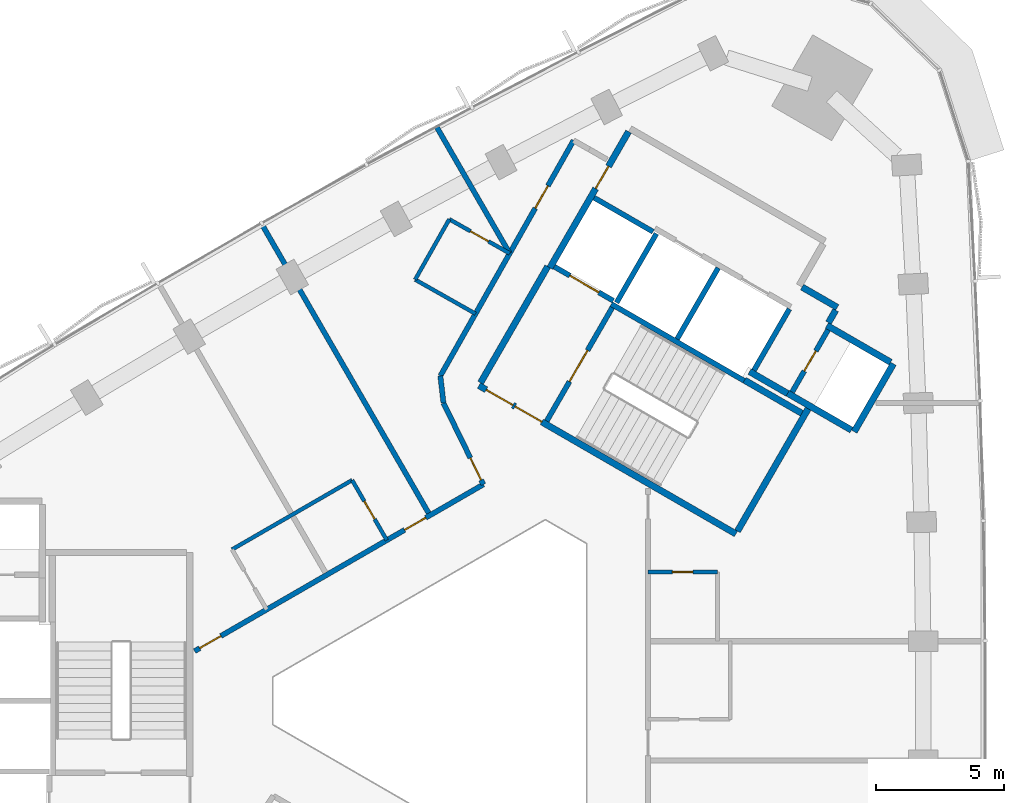
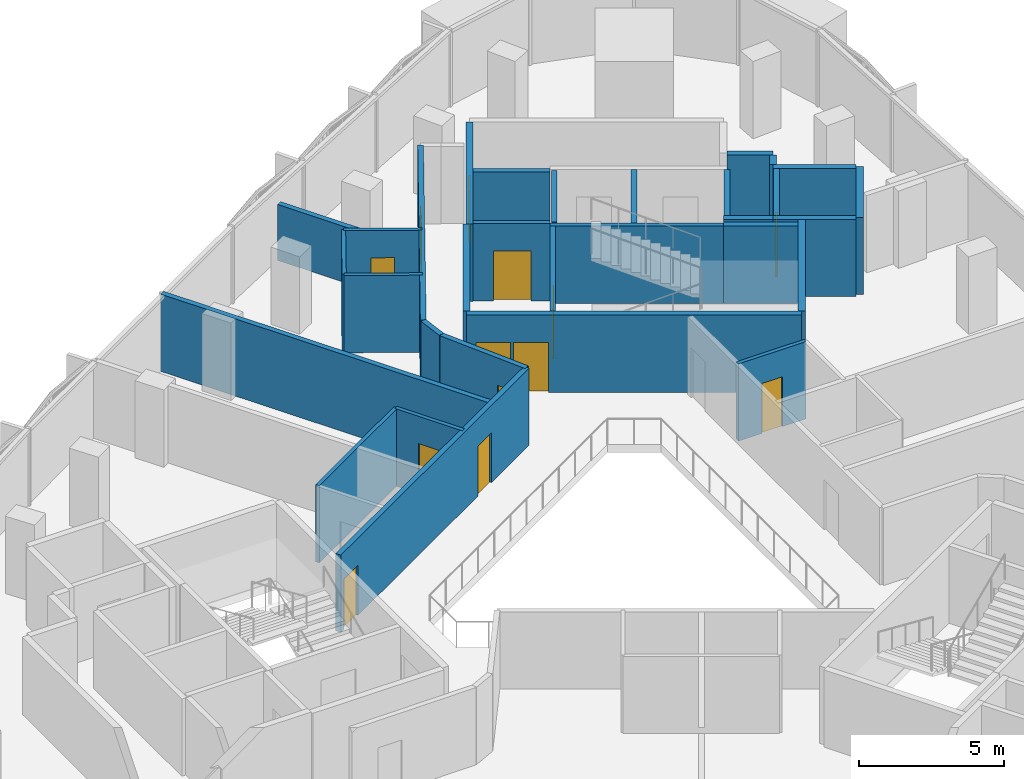
# One storey, part 9 of 13: 31 walls, 13 doors, 13 openings.
"""IFC4 building model written with IfcOpenShell, lengths in metres."""

from ifc_helpers import new_model, si_unit, direction, frame, frame_2d, origin, place, context, subcontext, project, spatial, rectangle, extrude, material, layer, layer_set, type_object, element, fill, save


model = new_model("IFC4")

# Units and contexts
model_context = context("Model", 3, precision=1e-05, world=origin(), true_north=direction((0.0, 1.0)))
body_context = subcontext(model_context, "Body", "Model", "MODEL_VIEW")
ifc_project = project(units=[si_unit("LENGTHUNIT", "METRE"), si_unit("AREAUNIT", "SQUARE_METRE"), si_unit("VOLUMEUNIT", "CUBIC_METRE"), si_unit("PLANEANGLEUNIT", "RADIAN"), si_unit("MASSUNIT", "GRAM", prefix="KILO")], contexts=[model_context])

# Site, building, storey
site_placement = place(None, origin())
site = spatial("IfcSite", under=ifc_project, at=site_placement, CompositionType="ELEMENT")
building_placement = place(site_placement, origin())
building = spatial("IfcBuilding", under=site, at=building_placement, Name="Tamra Quay Hotel Tower", CompositionType="ELEMENT")
storey_placement = place(building_placement, frame((0.0, 0.0, 193.60009765625)))
storey = spatial("IfcBuildingStorey", under=building, at=storey_placement, Name="L48", CompositionType="ELEMENT", Elevation=193.60009765625)

# Wall
ifc_material_1 = material(Name="Concrete M70", Category="concrete")
ifc_layer_1 = layer(ifc_material_1, 0.199951171875)
ifc_layer_set_1 = layer_set([ifc_layer_1], Name="Concrete M70 core wall 200")
wall_type_1 = type_object("IfcWallType", Name="Concrete M70 core wall 200", PredefinedType="SHEAR", material=ifc_layer_set_1)
wall_1_placement = place(storey_placement, frame((10.7431640625, 12.4599609375, 0.0), z_axis=(0.0, 0.0, 1.0), x_axis=(-0.866018848283, 0.500011354289, 0.0)))
element("IfcWall", 1, at=wall_1_placement, inside=storey, type_object=wall_type_1, Name="CW2", PredefinedType="SHEAR", context=body_context, shape_type="SweptSolid", body=[
    extrude(rectangle(XDim=5.973876953125, YDim=0.199951171875, at=frame_2d((2.98681640625, 0.0))), origin(), (0.0, 0.0, 1.0), 3.25),
])

# Wall, opening, door
wall_2_placement = place(storey_placement, frame((3.056640625, 10.89453125, 0.0), z_axis=(0.0, 0.0, 1.0), x_axis=(0.500027839223, 0.866009330205, 0.0)))
wall_2 = element("IfcWall", 2, at=wall_2_placement, inside=storey, type_object=wall_type_1, Name="CW2", PredefinedType="SHEAR", context=body_context, shape_type="SweptSolid", body=[
    extrude(rectangle(XDim=5.097900390625, YDim=0.199951171875, at=frame_2d((2.548828125, 0.0))), origin(), (0.0, 0.0, 1.0), 3.25),
])
opening_1_placement = place(wall_2_placement, frame((1.77392578125, 0.0, 0.0)))
opening_1 = element("IfcOpeningElement", 3, at=opening_1_placement, cuts=wall_2, Name="Opening FD2", PredefinedType="OPENING", context=body_context, shape_type="SweptSolid", body=[
    extrude(rectangle(XDim=1.39990234375, YDim=2.10009765625, at=frame_2d((0.699951171875, 1.050048828125))), frame((0.0, 0.10986328125, 0.0), z_axis=(0.0, -1.0, 0.0), x_axis=(1.0, 0.0, 0.0)), (0.0, 0.0, 1.0), 0.219970703125),
])
ifc_material_2 = material(Name="Core door FD2 1400x2100 LH")
door_type_1 = type_object("IfcDoorType", Name="Core door FD2 1400x2100 LH", OperationType="NOTDEFINED", PredefinedType="DOOR", material=ifc_material_2)
door_1_placement = place(opening_1_placement, origin())
door_1 = element("IfcDoor", 4, at=door_1_placement, inside=storey, type_object=door_type_1, Name="FD2", OperationType="SINGLE_SWING_LEFT", OverallHeight=2.10009765625, OverallWidth=1.39990234375, PredefinedType="DOOR", context=body_context, shape_type="SweptSolid", body=[
    extrude(rectangle(XDim=1.39990234375, YDim=2.10009765625, at=frame_2d((0.699951171875, 1.050048828125))), frame((0.0, 0.02490234375, 0.0), z_axis=(0.0, -1.0, 0.0), x_axis=(1.0, 0.0, 0.0)), (0.0, 0.0, 1.0), 0.050048828125),
])
fill(opening_1, door_1)

# Wall
wall_3_placement = place(storey_placement, frame((8.131591796875, 14.08447265625, 0.0), z_axis=(0.0, 0.0, 1.0), x_axis=(0.500030834389, 0.86600760081, 0.0)))
element("IfcWall", 5, at=wall_3_placement, inside=storey, type_object=wall_type_1, Name="CW2", PredefinedType="SHEAR", context=body_context, shape_type="SweptSolid", body=[
    extrude(rectangle(XDim=3.197998046875, YDim=0.199951171875, at=frame_2d((1.59912109375, 0.0))), origin(), (0.0, 0.0, 1.0), 3.25),
])

# Wall, opening, door
wall_4_placement = place(storey_placement, frame((14.0078125, 14.442138671875, 0.0), z_axis=(0.0, 0.0, 1.0), x_axis=(-0.499986818241, -0.866033014143, 0.0)))
wall_4 = element("IfcWall", 6, at=wall_4_placement, inside=storey, type_object=wall_type_1, Name="CW2", PredefinedType="SHEAR", context=body_context, shape_type="SweptSolid", body=[
    extrude(rectangle(XDim=2.7978515625, YDim=0.199951171875, at=frame_2d((1.39892578125, 0.0))), origin(), (0.0, 0.0, 1.0), 3.25),
])
opening_2_placement = place(wall_4_placement, frame((0.948974609375, 0.0, 0.0)))
opening_2 = element("IfcOpeningElement", 7, at=opening_2_placement, cuts=wall_4, Name="Opening D1", PredefinedType="OPENING", context=body_context, shape_type="SweptSolid", body=[
    extrude(rectangle(XDim=0.89990234375, YDim=2.10009765625, at=frame_2d((0.449951171875, 1.050048828125))), frame((0.0, 0.10986328125, 0.0), z_axis=(0.0, -1.0, 0.0), x_axis=(1.0, 0.0, 0.0)), (0.0, 0.0, 1.0), 0.219970703125),
])
ifc_material_3 = material(Name="Core door D1 900x2100 RH")
door_type_2 = type_object("IfcDoorType", Name="Core door D1 900x2100 RH", OperationType="NOTDEFINED", PredefinedType="DOOR", material=ifc_material_3)
door_2_placement = place(opening_2_placement, origin())
door_2 = element("IfcDoor", 8, at=door_2_placement, inside=storey, type_object=door_type_2, Name="D1", OperationType="SINGLE_SWING_RIGHT", OverallHeight=2.10009765625, OverallWidth=0.89990234375, PredefinedType="DOOR", context=body_context, shape_type="SweptSolid", body=[
    extrude(rectangle(XDim=0.89990234375, YDim=2.10009765625, at=frame_2d((0.449951171875, 1.050048828125))), frame((0.0, 0.02490234375, 0.0), z_axis=(0.0, -1.0, 0.0), x_axis=(1.0, 0.0, 0.0)), (0.0, 0.0, 1.0), 0.050048828125),
])
fill(opening_2, door_2)

# Walls
wall_5_placement = place(storey_placement, frame((12.50244140625, 15.2548828125, 0.0), z_axis=(0.0, 0.0, 1.0), x_axis=(-0.499965018551, -0.866045599391, 0.0)))
element("IfcWall", 9, at=wall_5_placement, inside=storey, type_object=wall_type_1, Name="CW2", PredefinedType="SHEAR", context=body_context, shape_type="SweptSolid", body=[
    extrude(rectangle(XDim=2.759033203125, YDim=0.199951171875, at=frame_2d((1.37939453125, 0.0))), origin(), (0.0, 0.0, 1.0), 3.25),
])
wall_6_placement = place(storey_placement, frame((7.324462890625, 18.1865234375, 0.0), z_axis=(0.0, 0.0, 1.0), x_axis=(-0.499967891604, -0.866043940782, 0.0)))
element("IfcWall", 10, at=wall_6_placement, inside=storey, type_object=wall_type_1, Name="CW2", PredefinedType="SHEAR", context=body_context, shape_type="SweptSolid", body=[
    extrude(rectangle(XDim=3.099853515625, YDim=0.199951171875, at=frame_2d((1.5498046875, 0.0))), origin(), (0.0, 0.0, 1.0), 3.25),
])

# Wall, opening, door
wall_7_placement = place(storey_placement, frame((5.646240234375, 15.575927734375, 0.0), z_axis=(0.0, 0.0, 1.0), x_axis=(-0.866018407898, 0.500012117035, 0.0)))
wall_7 = element("IfcWall", 11, at=wall_7_placement, inside=storey, type_object=wall_type_1, Name="CW2", PredefinedType="SHEAR", context=body_context, shape_type="SweptSolid", body=[
    extrude(rectangle(XDim=2.65087890625, YDim=0.199951171875, at=frame_2d((1.325439453125, 0.0))), origin(), (0.0, 0.0, 1.0), 3.25),
])
opening_3_placement = place(wall_7_placement, frame((0.65185546875, 0.0, 0.0)))
opening_3 = element("IfcOpeningElement", 12, at=opening_3_placement, cuts=wall_7, Name="Opening LD", PredefinedType="OPENING", context=body_context, shape_type="SweptSolid", body=[
    extrude(rectangle(XDim=1.300048828125, YDim=2.10009765625, at=frame_2d((0.64990234375, 1.050048828125))), frame((0.0, 0.10986328125, 0.0), z_axis=(0.0, -1.0, 0.0), x_axis=(1.0, 0.0, 0.0)), (0.0, 0.0, 1.0), 0.219970703125),
])
ifc_material_4 = material(Name="Landing door LD 1300 sliding to left")
door_type_3 = type_object("IfcDoorType", Name="Landing door LD 1300 sliding to left", OperationType="NOTDEFINED", PredefinedType="DOOR", material=ifc_material_4)
door_3_placement = place(opening_3_placement, origin())
door_3 = element("IfcDoor", 13, at=door_3_placement, inside=storey, type_object=door_type_3, Name="LD", OperationType="SLIDING_TO_LEFT", OverallHeight=2.10009765625, OverallWidth=1.300048828125, PredefinedType="DOOR", context=body_context, shape_type="SweptSolid", body=[
    extrude(rectangle(XDim=1.300048828125, YDim=2.10009765625, at=frame_2d((0.64990234375, 1.050048828125))), frame((0.0, 0.02490234375, 0.0), z_axis=(0.0, -1.0, 0.0), x_axis=(1.0, 0.0, 0.0)), (0.0, 0.0, 1.0), 0.050048828125),
])
fill(opening_3, door_3)

# Wall
wall_8_placement = place(storey_placement, frame((7.1962890625, 18.260498046875, 0.0), z_axis=(0.0, 0.0, 1.0), x_axis=(-0.866018407898, 0.500012117035, 0.0)))
element("IfcWall", 14, at=wall_8_placement, inside=storey, type_object=wall_type_1, Name="CW2", PredefinedType="SHEAR", context=body_context, shape_type="SweptSolid", body=[
    extrude(rectangle(XDim=2.65087890625, YDim=0.199951171875, at=frame_2d((1.325439453125, 0.0))), origin(), (0.0, 0.0, 1.0), 3.25),
])

# Wall, openings, doors
ifc_layer_2 = layer(ifc_material_1, 0.25)
ifc_layer_set_2 = layer_set([ifc_layer_2], Name="Concrete M70 core wall 250")
wall_type_2 = type_object("IfcWallType", Name="Concrete M70 core wall 250", PredefinedType="SHEAR", material=ifc_layer_set_2)
wall_9_placement = place(storey_placement, frame((10.419921875, 6.497802734375, 0.0), z_axis=(0.0, 0.0, 1.0), x_axis=(-0.866021906294, 0.500006057782, 0.0)))
wall_9 = element("IfcWall", 15, at=wall_9_placement, inside=storey, type_object=wall_type_2, Name="CW1", PredefinedType="SHEAR", context=body_context, shape_type="SweptSolid", body=[
    extrude(rectangle(XDim=11.550048828125, YDim=0.25, at=frame_2d((5.77490234375, 0.0))), origin(), (0.0, 0.0, 1.0), 3.25),
])
opening_4_placement = place(wall_9_placement, frame((10.02490234375, 0.0, 0.0)))
opening_4 = element("IfcOpeningElement", 16, at=opening_4_placement, cuts=wall_9, Name="Opening FD1", PredefinedType="OPENING", context=body_context, shape_type="SweptSolid", body=[
    extrude(rectangle(XDim=1.199951171875, YDim=2.10009765625, at=frame_2d((0.60009765625, 1.050048828125))), frame((0.0, 0.135009765625, 0.0), z_axis=(0.0, -1.0, 0.0), x_axis=(1.0, 0.0, 0.0)), (0.0, 0.0, 1.0), 0.27001953125),
])
opening_5_placement = place(wall_9_placement, frame((8.724853515625, 0.0, 0.0)))
opening_5 = element("IfcOpeningElement", 17, at=opening_5_placement, cuts=wall_9, Name="Opening FD1", PredefinedType="OPENING", context=body_context, shape_type="SweptSolid", body=[
    extrude(rectangle(XDim=1.199951171875, YDim=2.10009765625, at=frame_2d((0.60009765625, 1.050048828125))), frame((0.0, 0.135009765625, 0.0), z_axis=(0.0, -1.0, 0.0), x_axis=(1.0, 0.0, 0.0)), (0.0, 0.0, 1.0), 0.27001953125),
])
ifc_material_5 = material(Name="Core door FD1 1200x2100 LH")
door_type_4 = type_object("IfcDoorType", Name="Core door FD1 1200x2100 LH", OperationType="NOTDEFINED", PredefinedType="DOOR", material=ifc_material_5)
door_4_placement = place(opening_4_placement, origin())
door_4 = element("IfcDoor", 18, at=door_4_placement, inside=storey, type_object=door_type_4, Name="FD1", OperationType="SINGLE_SWING_LEFT", OverallHeight=2.10009765625, OverallWidth=1.199951171875, PredefinedType="DOOR", context=body_context, shape_type="SweptSolid", body=[
    extrude(rectangle(XDim=1.199951171875, YDim=2.10009765625, at=frame_2d((0.60009765625, 1.050048828125))), frame((0.0, 0.02490234375, 0.0), z_axis=(0.0, -1.0, 0.0), x_axis=(1.0, 0.0, 0.0)), (0.0, 0.0, 1.0), 0.050048828125),
])
fill(opening_4, door_4)
ifc_material_6 = material(Name="Core door FD1 1200x2100 RH")
door_type_5 = type_object("IfcDoorType", Name="Core door FD1 1200x2100 RH", OperationType="NOTDEFINED", PredefinedType="DOOR", material=ifc_material_6)
door_5_placement = place(opening_5_placement, origin())
door_5 = element("IfcDoor", 19, at=door_5_placement, inside=storey, type_object=door_type_5, Name="FD1", OperationType="SINGLE_SWING_RIGHT", OverallHeight=2.10009765625, OverallWidth=1.199951171875, PredefinedType="DOOR", context=body_context, shape_type="SweptSolid", body=[
    extrude(rectangle(XDim=1.199951171875, YDim=2.10009765625, at=frame_2d((0.60009765625, 1.050048828125))), frame((0.0, 0.02490234375, 0.0), z_axis=(0.0, -1.0, 0.0), x_axis=(1.0, 0.0, 0.0)), (0.0, 0.0, 1.0), 0.050048828125),
])
fill(opening_5, door_5)

# Wall, opening, door
wall_10_placement = place(storey_placement, frame((3.178955078125, 16.856201171875, 0.0), z_axis=(0.0, 0.0, 1.0), x_axis=(0.500001955336, 0.866024274868, 0.0)))
wall_10 = element("IfcWall", 20, at=wall_10_placement, inside=storey, type_object=wall_type_2, Name="CW1", PredefinedType="SHEAR", context=body_context, shape_type="SweptSolid", body=[
    extrude(rectangle(XDim=6.12451171875, YDim=0.25, at=frame_2d((3.062255859375, 0.0))), origin(), (0.0, 0.0, 1.0), 3.25),
])
opening_6_placement = place(wall_10_placement, frame((3.562744140625, 0.0, 0.0)))
opening_6 = element("IfcOpeningElement", 21, at=opening_6_placement, cuts=wall_10, Name="Opening FD3", PredefinedType="OPENING", context=body_context, shape_type="SweptSolid", body=[
    extrude(rectangle(XDim=1.0, YDim=2.10009765625, at=frame_2d((0.5, 1.050048828125))), frame((0.0, 0.135009765625, 0.0), z_axis=(0.0, -1.0, 0.0), x_axis=(1.0, 0.0, 0.0)), (0.0, 0.0, 1.0), 0.27001953125),
])
ifc_material_7 = material(Name="Core door FD3 1000x2100 LH")
door_type_6 = type_object("IfcDoorType", Name="Core door FD3 1000x2100 LH", OperationType="NOTDEFINED", PredefinedType="DOOR", material=ifc_material_7)
door_6_placement = place(opening_6_placement, origin())
door_6 = element("IfcDoor", 22, at=door_6_placement, inside=storey, type_object=door_type_6, Name="FD3", OperationType="SINGLE_SWING_LEFT", OverallHeight=2.10009765625, OverallWidth=1.0, PredefinedType="DOOR", context=body_context, shape_type="SweptSolid", body=[
    extrude(rectangle(XDim=1.0, YDim=2.10009765625, at=frame_2d((0.5, 1.050048828125))), frame((0.0, 0.02490234375, 0.0), z_axis=(0.0, -1.0, 0.0), x_axis=(1.0, 0.0, 0.0)), (0.0, 0.0, 1.0), 0.050048828125),
])
fill(opening_6, door_6)

# Walls
wall_11_placement = place(storey_placement, frame((0.47998046875, 12.38134765625, 0.0), z_axis=(0.0, 0.0, 1.0), x_axis=(0.49999885962, 0.866026062182, 0.0)))
element("IfcWall", 23, at=wall_11_placement, inside=storey, type_object=wall_type_2, Name="CW1", PredefinedType="SHEAR", context=body_context, shape_type="SweptSolid", body=[
    extrude(rectangle(XDim=5.224609375, YDim=0.25, at=frame_2d((2.6123046875, 0.0))), origin(), (0.0, 0.0, 1.0), 3.25),
])
wall_12_placement = place(storey_placement, frame((13.237548828125, 11.3779296875, 0.0), z_axis=(0.0, 0.0, 1.0), x_axis=(-0.500008851346, -0.866020293397, 0.0)))
element("IfcWall", 24, at=wall_12_placement, inside=storey, type_object=wall_type_2, Name="CW1", PredefinedType="SHEAR", context=body_context, shape_type="SweptSolid", body=[
    extrude(rectangle(XDim=5.509765625, YDim=0.25, at=frame_2d((2.7548828125, 0.0))), origin(), (0.0, 0.0, 1.0), 3.25),
])
wall_13_placement = place(storey_placement, frame((16.552001953125, 13.118896484375, 0.0), z_axis=(0.0, 0.0, 1.0), x_axis=(-0.499978833458, -0.866037623948, 0.0)))
element("IfcWall", 25, at=wall_13_placement, inside=storey, type_object=wall_type_2, Name="CW1", PredefinedType="SHEAR", context=body_context, shape_type="SweptSolid", body=[
    extrude(rectangle(XDim=3.050048828125, YDim=0.25, at=frame_2d((1.52490234375, 0.0))), origin(), (0.0, 0.0, 1.0), 3.25),
])
wall_14_placement = place(storey_placement, frame((14.91845703125, 10.540283203125, 0.0), z_axis=(0.0, 0.0, 1.0), x_axis=(-0.866063538972, 0.499933942099, 0.0)))
element("IfcWall", 26, at=wall_14_placement, inside=storey, type_object=wall_type_2, Name="CW1", PredefinedType="SHEAR", context=body_context, shape_type="SweptSolid", body=[
    extrude(rectangle(XDim=2.86474609375, YDim=0.25, at=frame_2d((1.432373046875, 0.0))), origin(), (0.0, 0.0, 1.0), 3.25),
])
wall_15_placement = place(storey_placement, frame((13.962646484375, 14.61376953125, 0.0), z_axis=(0.0, 0.0, 1.0), x_axis=(0.866042235819, -0.499970844928, 0.0)))
element("IfcWall", 27, at=wall_15_placement, inside=storey, type_object=wall_type_2, Name="CW1", PredefinedType="SHEAR", context=body_context, shape_type="SweptSolid", body=[
    extrude(rectangle(XDim=2.864501953125, YDim=0.25, at=frame_2d((1.43212890625, 0.0))), origin(), (0.0, 0.0, 1.0), 3.25),
])
wall_16_placement = place(storey_placement, frame((10.756591796875, 12.481201171875, 0.0), z_axis=(0.0, 0.0, 1.0), x_axis=(0.866022940537, -0.500004266446, 0.0)))
element("IfcWall", 28, at=wall_16_placement, inside=storey, type_object=wall_type_2, Name="CW1", PredefinedType="SHEAR", context=body_context, shape_type="SweptSolid", body=[
    extrude(rectangle(XDim=2.57470703125, YDim=0.25, at=frame_2d((1.287353515625, 0.0))), origin(), (0.0, 0.0, 1.0), 3.25),
])
wall_17_placement = place(storey_placement, frame((12.4326171875, 11.9638671875, 0.0), z_axis=(0.0, 0.0, 1.0), x_axis=(-0.866038183914, 0.499977863513, 0.0)))
element("IfcWall", 29, at=wall_17_placement, inside=storey, type_object=wall_type_2, Name="CW1", PredefinedType="SHEAR", context=body_context, shape_type="SweptSolid", body=[
    extrude(rectangle(XDim=1.7099609375, YDim=0.25, at=frame_2d((0.85498046875, 0.0))), origin(), (0.0, 0.0, 1.0), 3.25),
])
wall_18_placement = place(storey_placement, frame((12.995361328125, 16.107666015625, 0.0), z_axis=(0.0, 0.0, 1.0), x_axis=(0.866044474677, -0.49996696679, 0.0)))
element("IfcWall", 30, at=wall_18_placement, inside=storey, type_object=wall_type_2, Name="CW1", PredefinedType="SHEAR", context=body_context, shape_type="SweptSolid", body=[
    extrude(rectangle(XDim=1.58447265625, YDim=0.25, at=frame_2d((0.792236328125, 0.0))), origin(), (0.0, 0.0, 1.0), 3.25),
])
wall_19_placement = place(storey_placement, frame((14.304931640625, 15.206787109375, 0.0), z_axis=(0.0, 0.0, 1.0), x_axis=(-0.499848422343, -0.866112899501, 0.0)))
element("IfcWall", 31, at=wall_19_placement, inside=storey, type_object=wall_type_2, Name="CW1", PredefinedType="SHEAR", context=body_context, shape_type="SweptSolid", body=[
    extrude(rectangle(XDim=0.559326171875, YDim=0.25, at=frame_2d((0.27978515625, 0.0))), origin(), (0.0, 0.0, 1.0), 3.25),
])

# Wall, openings, doors
ifc_material_8 = material(Name="Partition corridor wall")
ifc_layer_3 = layer(ifc_material_8, 0.199951171875)
ifc_layer_set_3 = layer_set([ifc_layer_3], Name="Partition corridor wall")
wall_type_3 = type_object("IfcWallType", Name="Partition corridor wall", PredefinedType="PARTITIONING", material=ifc_layer_set_3)
wall_20_placement = place(storey_placement, frame((-10.65234375, 1.93408203125, 0.0), z_axis=(0.0, 0.0, 1.0), x_axis=(0.866066882415, 0.499928150021, 0.0)))
wall_20 = element("IfcWall", 32, at=wall_20_placement, inside=storey, type_object=wall_type_3, Name="W-C", PredefinedType="PARTITIONING", context=body_context, shape_type="SweptSolid", body=[
    extrude(rectangle(XDim=12.97998046875, YDim=0.199951171875, at=frame_2d((6.489990234375, 0.0))), origin(), (0.0, 0.0, 1.0), 3.25),
])
opening_7_placement = place(wall_20_placement, frame((9.438720703125, 0.0, 0.0)))
opening_7 = element("IfcOpeningElement", 33, at=opening_7_placement, cuts=wall_20, Name="Opening L48-D014", PredefinedType="OPENING", context=body_context, shape_type="SweptSolid", body=[
    extrude(rectangle(XDim=0.949951171875, YDim=2.10009765625, at=frame_2d((0.47509765625, 1.050048828125))), frame((0.0, 0.10986328125, 0.0), z_axis=(0.0, -1.0, 0.0), x_axis=(1.0, 0.0, 0.0)), (0.0, 0.0, 1.0), 0.219970703125),
])
opening_8_placement = place(wall_20_placement, frame((0.228759765625, 0.0, 0.0)))
opening_8 = element("IfcOpeningElement", 34, at=opening_8_placement, cuts=wall_20, Name="Opening L48-D016", PredefinedType="OPENING", context=body_context, shape_type="SweptSolid", body=[
    extrude(rectangle(XDim=0.949951171875, YDim=2.10009765625, at=frame_2d((0.47509765625, 1.050048828125))), frame((0.0, 0.10986328125, 0.0), z_axis=(0.0, -1.0, 0.0), x_axis=(1.0, 0.0, 0.0)), (0.0, 0.0, 1.0), 0.219970703125),
])
ifc_material_9 = material(Name="Door guest room 950x2100")
door_type_7 = type_object("IfcDoorType", Name="Door guest room 950x2100", OperationType="NOTDEFINED", PredefinedType="DOOR", material=ifc_material_9)
door_7_placement = place(opening_7_placement, origin())
door_7 = element("IfcDoor", 35, at=door_7_placement, inside=storey, type_object=door_type_7, Name="L48-D014", OperationType="SINGLE_SWING_LEFT", OverallHeight=2.10009765625, OverallWidth=0.949951171875, PredefinedType="DOOR", context=body_context, shape_type="SweptSolid", body=[
    extrude(rectangle(XDim=0.949951171875, YDim=2.10009765625, at=frame_2d((0.47509765625, 1.050048828125))), frame((0.0, 0.02490234375, 0.0), z_axis=(0.0, -1.0, 0.0), x_axis=(1.0, 0.0, 0.0)), (0.0, 0.0, 1.0), 0.050048828125),
])
fill(opening_7, door_7)
door_8_placement = place(opening_8_placement, origin())
door_8 = element("IfcDoor", 36, at=door_8_placement, inside=storey, type_object=door_type_7, Name="L48-D016", OperationType="SINGLE_SWING_LEFT", OverallHeight=2.10009765625, OverallWidth=0.949951171875, PredefinedType="DOOR", context=body_context, shape_type="SweptSolid", body=[
    extrude(rectangle(XDim=0.949951171875, YDim=2.10009765625, at=frame_2d((0.47509765625, 1.050048828125))), frame((0.0, 0.02490234375, 0.0), z_axis=(0.0, -1.0, 0.0), x_axis=(1.0, 0.0, 0.0)), (0.0, 0.0, 1.0), 0.050048828125),
])
fill(opening_8, door_8)

# Wall, opening, door
wall_21_placement = place(storey_placement, frame((-1.0849609375, 12.64990234375, 0.0), z_axis=(0.0, 0.0, 1.0), x_axis=(0.49243456751, 0.870349468157, 0.0)))
wall_21 = element("IfcWall", 37, at=wall_21_placement, inside=storey, type_object=wall_type_3, Name="W-C", PredefinedType="PARTITIONING", context=body_context, shape_type="SweptSolid", body=[
    extrude(rectangle(XDim=10.531494140625, YDim=0.199951171875, at=frame_2d((5.265625, 0.0))), origin(), (0.0, 0.0, 1.0), 3.25),
])
opening_9_placement = place(wall_21_placement, frame((7.4990234375, 0.0, 0.0)))
opening_9 = element("IfcOpeningElement", 38, at=opening_9_placement, cuts=wall_21, Name="Opening L48-D011", PredefinedType="OPENING", context=body_context, shape_type="SweptSolid", body=[
    extrude(rectangle(XDim=1.0, YDim=2.10009765625, at=frame_2d((0.5, 1.050048828125))), frame((0.0, 0.10986328125, 0.0), z_axis=(0.0, -1.0, 0.0), x_axis=(1.0, 0.0, 0.0)), (0.0, 0.0, 1.0), 0.219970703125),
])
ifc_material_10 = material(Name="Door guest room 1000x2100")
door_type_8 = type_object("IfcDoorType", Name="Door guest room 1000x2100", OperationType="NOTDEFINED", PredefinedType="DOOR", material=ifc_material_10)
door_9_placement = place(opening_9_placement, frame((1.0, 0.0, 0.0), z_axis=(0.0, 0.0, 1.0), x_axis=(-1.0, 0.0, 0.0)))
door_9 = element("IfcDoor", 39, at=door_9_placement, inside=storey, type_object=door_type_8, Name="L48-D011", OperationType="SINGLE_SWING_LEFT", OverallHeight=2.10009765625, OverallWidth=1.0, PredefinedType="DOOR", context=body_context, shape_type="SweptSolid", body=[
    extrude(rectangle(XDim=1.0, YDim=2.10009765625, at=frame_2d((0.5, 1.050048828125))), frame((0.0, 0.02490234375, 0.0), z_axis=(0.0, -1.0, 0.0), x_axis=(1.0, 0.0, 0.0)), (0.0, 0.0, 1.0), 0.050048828125),
])
fill(opening_9, door_9)

# Wall
wall_22_placement = place(storey_placement, frame((-1.0849609375, 12.64990234375, 0.0), z_axis=(0.0, 0.0, 1.0), x_axis=(0.113812454263, -0.993502252264, 0.0)))
element("IfcWall", 40, at=wall_22_placement, inside=storey, type_object=wall_type_3, Name="W-C", PredefinedType="PARTITIONING", context=body_context, shape_type="SweptSolid", body=[
    extrude(rectangle(XDim=1.061767578125, YDim=0.199951171875, at=frame_2d((0.53076171875, 0.0))), origin(), (0.0, 0.0, 1.0), 3.25),
])

# Wall, opening, door
wall_23_placement = place(storey_placement, frame((-0.964111328125, 11.594970703125, 0.0), z_axis=(0.0, 0.0, 1.0), x_axis=(0.439787800928, -0.898101714816, 0.0)))
wall_23 = element("IfcWall", 41, at=wall_23_placement, inside=storey, type_object=wall_type_3, Name="W-C", PredefinedType="PARTITIONING", context=body_context, shape_type="SweptSolid", body=[
    extrude(rectangle(XDim=3.53173828125, YDim=0.199951171875, at=frame_2d((1.765869140625, 0.0))), origin(), (0.0, 0.0, 1.0), 3.25),
])
opening_10_placement = place(wall_23_placement, frame((2.3818359375, 0.0, 0.0)))
opening_10 = element("IfcOpeningElement", 42, at=opening_10_placement, cuts=wall_23, Name="Opening L48-D012", PredefinedType="OPENING", context=body_context, shape_type="SweptSolid", body=[
    extrude(rectangle(XDim=0.949951171875, YDim=2.10009765625, at=frame_2d((0.47509765625, 1.050048828125))), frame((0.0, 0.10986328125, 0.0), z_axis=(0.0, -1.0, 0.0), x_axis=(1.0, 0.0, 0.0)), (0.0, 0.0, 1.0), 0.219970703125),
])
door_10_placement = place(opening_10_placement, frame((0.949951171875, 0.0, 0.0), z_axis=(0.0, 0.0, 1.0), x_axis=(-1.0, 0.0, 0.0)))
door_10 = element("IfcDoor", 43, at=door_10_placement, inside=storey, type_object=door_type_7, Name="L48-D012", OperationType="SINGLE_SWING_LEFT", OverallHeight=2.10009765625, OverallWidth=0.949951171875, PredefinedType="DOOR", context=body_context, shape_type="SweptSolid", body=[
    extrude(rectangle(XDim=0.949951171875, YDim=2.10009765625, at=frame_2d((0.47509765625, 1.050048828125))), frame((0.0, 0.02490234375, 0.0), z_axis=(0.0, -1.0, 0.0), x_axis=(1.0, 0.0, 0.0)), (0.0, 0.0, 1.0), 0.050048828125),
])
fill(opening_10, door_10)

# Wall
ifc_material_11 = material(Name="Partition en-suite wall")
ifc_layer_4 = layer(ifc_material_11, 0.14990234375)
ifc_layer_set_4 = layer_set([ifc_layer_4], Name="Partition en-suite wall")
wall_type_4 = type_object("IfcWallType", Name="Partition en-suite wall", PredefinedType="PARTITIONING", material=ifc_layer_set_4)
wall_24_placement = place(storey_placement, frame((-9.194091796875, 5.89208984375, 0.0), z_axis=(0.0, 0.0, 1.0), x_axis=(0.8659934935, 0.500055266161, 0.0)))
element("IfcWall", 44, at=wall_24_placement, inside=storey, type_object=wall_type_4, Name="W-E", PredefinedType="PARTITIONING", context=body_context, shape_type="SweptSolid", body=[
    extrude(rectangle(XDim=5.3974609375, YDim=0.14990234375, at=frame_2d((2.69873046875, 0.0))), origin(), (0.0, 0.0, 1.0), 3.25),
])

# Wall, opening, door
wall_25_placement = place(storey_placement, frame((-4.52001953125, 8.591064453125, 0.0), z_axis=(0.0, 0.0, 1.0), x_axis=(0.500048589285, -0.86599734893, 0.0)))
wall_25 = element("IfcWall", 45, at=wall_25_placement, inside=storey, type_object=wall_type_4, Name="W-E", PredefinedType="PARTITIONING", context=body_context, shape_type="SweptSolid", body=[
    extrude(rectangle(XDim=2.699951171875, YDim=0.14990234375, at=frame_2d((1.35009765625, 0.0))), origin(), (0.0, 0.0, 1.0), 3.25),
])
opening_11_placement = place(wall_25_placement, frame((0.94970703125, 0.0, 0.0)))
opening_11 = element("IfcOpeningElement", 46, at=opening_11_placement, cuts=wall_25, Name="Opening L48-D015", PredefinedType="OPENING", context=body_context, shape_type="SweptSolid", body=[
    extrude(rectangle(XDim=0.800048828125, YDim=2.10009765625, at=frame_2d((0.39990234375, 1.050048828125))), frame((0.0, 0.0849609375, 0.0), z_axis=(0.0, -1.0, 0.0), x_axis=(1.0, 0.0, 0.0)), (0.0, 0.0, 1.0), 0.169921875),
])
ifc_material_12 = material(Name="Door en-suite 800x2100")
door_type_9 = type_object("IfcDoorType", Name="Door en-suite 800x2100", OperationType="NOTDEFINED", PredefinedType="DOOR", material=ifc_material_12)
door_11_placement = place(opening_11_placement, frame((0.800048828125, 0.0, 0.0), z_axis=(0.0, 0.0, 1.0), x_axis=(-1.0, 0.0, 0.0)))
door_11 = element("IfcDoor", 47, at=door_11_placement, inside=storey, type_object=door_type_9, Name="L48-D015", OperationType="SINGLE_SWING_LEFT", OverallHeight=2.10009765625, OverallWidth=0.800048828125, PredefinedType="DOOR", context=body_context, shape_type="SweptSolid", body=[
    extrude(rectangle(XDim=0.800048828125, YDim=2.10009765625, at=frame_2d((0.39990234375, 1.050048828125))), frame((0.0, 0.02490234375, 0.0), z_axis=(0.0, -1.0, 0.0), x_axis=(1.0, 0.0, 0.0)), (0.0, 0.0, 1.0), 0.050048828125),
])
fill(opening_11, door_11)

# Walls
wall_26_placement = place(storey_placement, frame((-2.06689453125, 16.39794921875, 0.0), z_axis=(0.0, 0.0, 1.0), x_axis=(0.492483230042, 0.870321933613, 0.0)))
element("IfcWall", 48, at=wall_26_placement, inside=storey, type_object=wall_type_4, Name="W-E", PredefinedType="PARTITIONING", context=body_context, shape_type="SweptSolid", body=[
    extrude(rectangle(XDim=2.7001953125, YDim=0.14990234375, at=frame_2d((1.35009765625, 0.0))), origin(), (0.0, 0.0, 1.0), 3.25),
])
wall_27_placement = place(storey_placement, frame((-2.06689453125, 16.39794921875, 0.0), z_axis=(0.0, 0.0, 1.0), x_axis=(0.870300002118, -0.492521985614, 0.0)))
element("IfcWall", 49, at=wall_27_placement, inside=storey, type_object=wall_type_4, Name="W-E", PredefinedType="PARTITIONING", context=body_context, shape_type="SweptSolid", body=[
    extrude(rectangle(XDim=2.699951171875, YDim=0.14990234375, at=frame_2d((1.35009765625, 0.0))), origin(), (0.0, 0.0, 1.0), 3.25),
])

# Wall, opening, door
wall_28_placement = place(storey_placement, frame((-0.737060546875, 18.748046875, 0.0), z_axis=(0.0, 0.0, 1.0), x_axis=(0.870283179633, -0.492551710227, 0.0)))
wall_28 = element("IfcWall", 50, at=wall_28_placement, inside=storey, type_object=wall_type_4, Name="W-E", PredefinedType="PARTITIONING", context=body_context, shape_type="SweptSolid", body=[
    extrude(rectangle(XDim=2.700439453125, YDim=0.14990234375, at=frame_2d((1.35009765625, 0.0))), origin(), (0.0, 0.0, 1.0), 3.25),
])
opening_12_placement = place(wall_28_placement, frame((0.9501953125, 0.0, 0.0)))
opening_12 = element("IfcOpeningElement", 51, at=opening_12_placement, cuts=wall_28, Name="Opening L48-D013", PredefinedType="OPENING", context=body_context, shape_type="SweptSolid", body=[
    extrude(rectangle(XDim=0.800048828125, YDim=2.10009765625, at=frame_2d((0.39990234375, 1.050048828125))), frame((0.0, 0.0849609375, 0.0), z_axis=(0.0, -1.0, 0.0), x_axis=(1.0, 0.0, 0.0)), (0.0, 0.0, 1.0), 0.169921875),
])
door_12_placement = place(opening_12_placement, frame((0.800048828125, 0.0, 0.0), z_axis=(0.0, 0.0, 1.0), x_axis=(-1.0, 0.0, 0.0)))
door_12 = element("IfcDoor", 52, at=door_12_placement, inside=storey, type_object=door_type_9, Name="L48-D013", OperationType="SINGLE_SWING_LEFT", OverallHeight=2.10009765625, OverallWidth=0.800048828125, PredefinedType="DOOR", context=body_context, shape_type="SweptSolid", body=[
    extrude(rectangle(XDim=0.800048828125, YDim=2.10009765625, at=frame_2d((0.39990234375, 1.050048828125))), frame((0.0, 0.02490234375, 0.0), z_axis=(0.0, -1.0, 0.0), x_axis=(1.0, 0.0, 0.0)), (0.0, 0.0, 1.0), 0.050048828125),
])
fill(opening_12, door_12)

wall_29_placement = place(storey_placement, frame((7.0, 5.01904296875, 0.0), z_axis=(0.0, 0.0, 1.0), x_axis=(1.0, 0.0, 0.0)))
wall_29 = element("IfcWall", 53, at=wall_29_placement, inside=storey, type_object=wall_type_4, Name="W-E", PredefinedType="PARTITIONING", context=body_context, shape_type="SweptSolid", body=[
    extrude(rectangle(XDim=2.699951171875, YDim=0.14990234375, at=frame_2d((1.35009765625, 0.0))), origin(), (0.0, 0.0, 1.0), 3.25),
])
opening_13_placement = place(wall_29_placement, frame((0.949951171875, 0.0, 0.0)))
opening_13 = element("IfcOpeningElement", 54, at=opening_13_placement, cuts=wall_29, Name="Opening L48-D006", PredefinedType="OPENING", context=body_context, shape_type="SweptSolid", body=[
    extrude(rectangle(XDim=0.800048828125, YDim=2.10009765625, at=frame_2d((0.39990234375, 1.050048828125))), frame((0.0, 0.0849609375, 0.0), z_axis=(0.0, -1.0, 0.0), x_axis=(1.0, 0.0, 0.0)), (0.0, 0.0, 1.0), 0.169921875),
])
door_13_placement = place(opening_13_placement, origin())
door_13 = element("IfcDoor", 55, at=door_13_placement, inside=storey, type_object=door_type_9, Name="L48-D006", OperationType="SINGLE_SWING_LEFT", OverallHeight=2.10009765625, OverallWidth=0.800048828125, PredefinedType="DOOR", context=body_context, shape_type="SweptSolid", body=[
    extrude(rectangle(XDim=0.800048828125, YDim=2.10009765625, at=frame_2d((0.39990234375, 1.050048828125))), frame((0.0, 0.02490234375, 0.0), z_axis=(0.0, -1.0, 0.0), x_axis=(1.0, 0.0, 0.0)), (0.0, 0.0, 1.0), 0.050048828125),
])
fill(opening_13, door_13)

# Walls
ifc_material_13 = material(Name="Partition party wall")
ifc_layer_5 = layer(ifc_material_13, 0.199951171875)
ifc_layer_set_5 = layer_set([ifc_layer_5], Name="Partition party wall")
wall_type_5 = type_object("IfcWallType", Name="Partition party wall", PredefinedType="PARTITIONING", material=ifc_layer_set_5)
wall_30_placement = place(storey_placement, frame((-8.051513671875, 18.58203125, 0.0), z_axis=(0.0, 0.0, 1.0), x_axis=(0.500046266189, -0.86599869034, 0.0)))
element("IfcWall", 56, at=wall_30_placement, inside=storey, type_object=wall_type_5, Name="W-P", PredefinedType="PARTITIONING", context=body_context, shape_type="SweptSolid", body=[
    extrude(rectangle(XDim=13.117919921875, YDim=0.199951171875, at=frame_2d((6.55908203125, 0.0))), origin(), (0.0, 0.0, 1.0), 3.25),
])
wall_31_placement = place(storey_placement, frame((-1.231689453125, 22.34521484375, 0.0), z_axis=(0.0, 0.0, 1.0), x_axis=(0.499942901263, -0.866058367246, 0.0)))
element("IfcWall", 57, at=wall_31_placement, inside=storey, type_object=wall_type_5, Name="W-P", PredefinedType="PARTITIONING", context=body_context, shape_type="SweptSolid", body=[
    extrude(rectangle(XDim=5.688232421875, YDim=0.199951171875, at=frame_2d((2.84423828125, 0.0))), origin(), (0.0, 0.0, 1.0), 2.349853515625),
])

save(model, "model.ifc")
